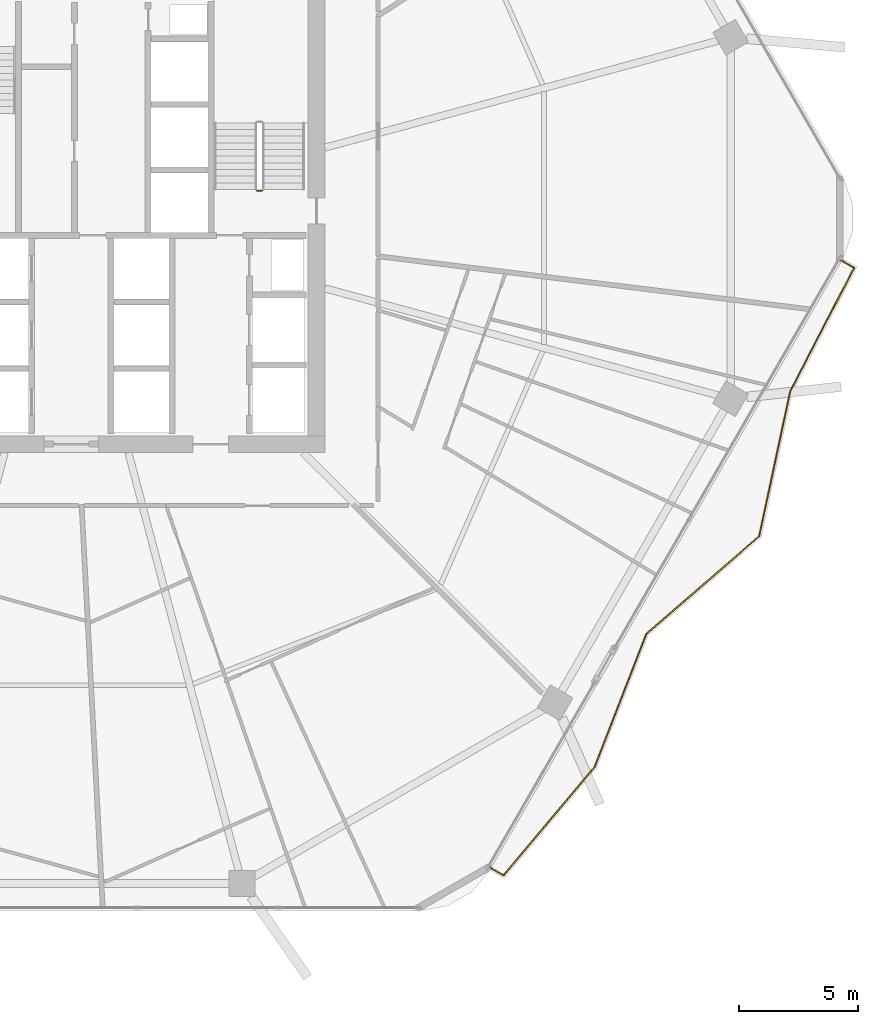
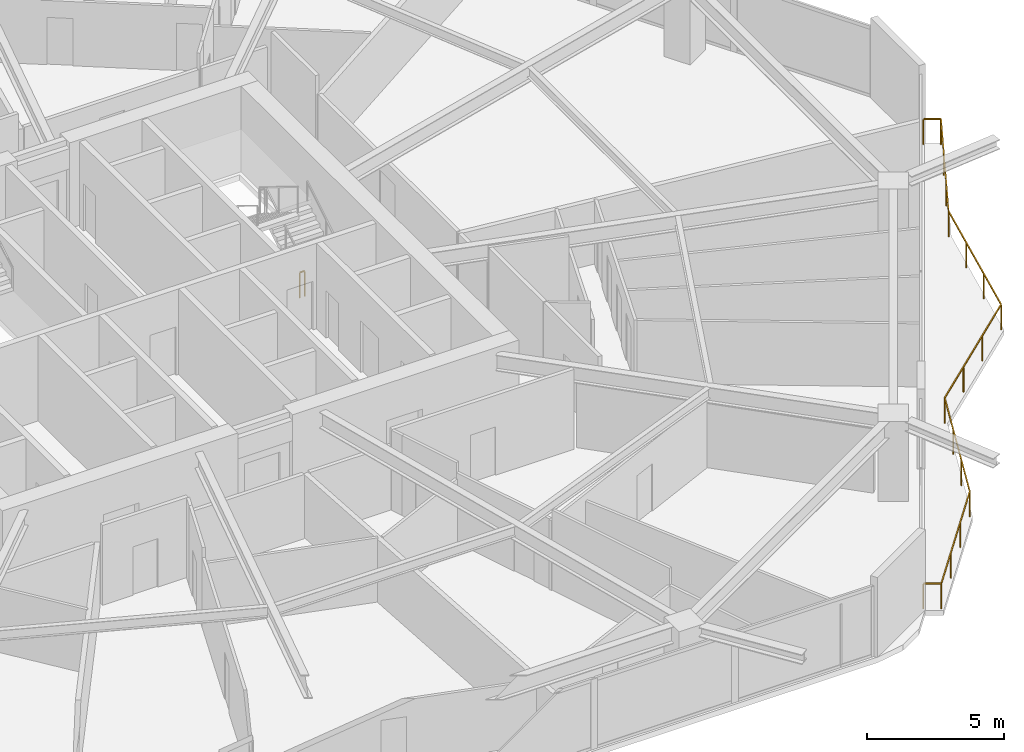
# One storey, part 30 of 32: 2 railings.
"""IFC4 building model written with IfcOpenShell, lengths in metres."""

from ifc_helpers import new_model, si_unit, direction, frame, origin, origin_2d, place, context, subcontext, project, spatial, rectangle, extrude, material, type_object, element, save


model = new_model("IFC4")

# Units and contexts
model_context = context("Model", 3, precision=1e-05, world=origin(), true_north=direction((0.0, 1.0)))
body_context = subcontext(model_context, "Body", "Model", "MODEL_VIEW")
ifc_project = project(units=[si_unit("LENGTHUNIT", "METRE"), si_unit("AREAUNIT", "SQUARE_METRE"), si_unit("VOLUMEUNIT", "CUBIC_METRE"), si_unit("PLANEANGLEUNIT", "RADIAN"), si_unit("MASSUNIT", "GRAM", prefix="KILO")], contexts=[model_context])

# Site, building, storey
site_placement = place(None, origin())
site = spatial("IfcSite", under=ifc_project, at=site_placement, CompositionType="ELEMENT")
building_placement = place(site_placement, origin())
building = spatial("IfcBuilding", under=site, at=building_placement, Name="Zuhravey Tower", CompositionType="ELEMENT")
storey_placement = place(building_placement, frame((0.0, 0.0, 119.0)))
storey = spatial("IfcBuildingStorey", under=building, at=storey_placement, Name="L29", CompositionType="ELEMENT", Elevation=119.0)

# Railings
ifc_material_1 = material(Name="Stainless steel 316 and laminated glass", Category="steel")
railing_type_1 = type_object("IfcRailingType", Name="Balcony & Terrace Guardrail 1150", PredefinedType="BALUSTRADE", material=ifc_material_1)
railing_1_placement = place(storey_placement, frame((68.5166015625, 30.2333984375, 0.0)))
element("IfcRailing", 1, at=railing_1_placement, inside=storey, type_object=railing_type_1, Name="L29 Face 6 Wave Balcony Guardrail GR1", PredefinedType="BALUSTRADE", context=body_context, shape_type="SweptSolid", body=[
    extrude(rectangle(XDim=0.048095703125, YDim=0.048095703125, at=origin_2d()), frame((0.001708984375, -0.0009765625, 1.1259765625), z_axis=(0.865996321171, -0.50005036918, 0.0), x_axis=(0.50005036918, 0.865996321171, 0.0)), (0.0, 0.0, 1.0), 0.640380859375),
    extrude(rectangle(XDim=0.048095703125, YDim=0.048095703125, at=origin_2d()), frame((0.55712890625, -0.323974609375, 1.1259765625), z_axis=(-0.458567516695, -0.88865957072, 0.0), x_axis=(0.88865957072, -0.458567516695, 0.0)), (0.0, 0.0, 1.0), 5.851806640625),
    extrude(rectangle(XDim=0.048095703125, YDim=0.048095703125, at=origin_2d()), frame((-2.127685546875, -5.528076171875, 1.1259765625), z_axis=(-0.209593491884, -0.977788611183, 0.0), x_axis=(0.977788611183, -0.209593491884, 0.0)), (0.0, 0.0, 1.0), 6.209228515625),
    extrude(rectangle(XDim=0.048095703125, YDim=0.048095703125, at=origin_2d()), frame((-3.430908203125, -11.6025390625, 1.1259765625), z_axis=(-0.755889527661, -0.654699184338, 0.0), x_axis=(0.654699184338, -0.755889527661, 0.0)), (0.0, 0.0, 1.0), 6.26416015625),
    extrude(rectangle(XDim=0.048095703125, YDim=0.048095703125, at=origin_2d()), frame((-8.168212890625, -15.70703125, 1.1259765625), z_axis=(-0.362899129355, -0.93182842944, 0.0), x_axis=(0.93182842944, -0.362899129355, 0.0)), (0.0, 0.0, 1.0), 6.005126953125),
    extrude(rectangle(XDim=0.048095703125, YDim=0.048095703125, at=origin_2d()), frame((-10.349365234375, -21.305908203125, 1.1259765625), z_axis=(-0.64353902716, -0.76541330046, 0.0), x_axis=(0.76541330046, -0.64353902716, 0.0)), (0.0, 0.0, 1.0), 5.91943359375),
    extrude(rectangle(XDim=0.048095703125, YDim=0.048095703125, at=origin_2d()), frame((-14.161865234375, -25.83740234375, 1.1259765625), z_axis=(-0.866036909293, 0.499980071345, 0.0), x_axis=(-0.499980071345, -0.866036909293, 0.0)), (0.0, 0.0, 1.0), 0.65234375),
    extrude(rectangle(XDim=0.0419921875, YDim=0.0419921875, at=origin_2d()), origin(), (0.0, 0.0, 1.0), 1.099853515625),
    extrude(rectangle(XDim=0.0419921875, YDim=0.0419921875, at=origin_2d()), frame((0.55810546875, -0.322265625, 0.0)), (0.0, 0.0, 1.0), 1.099853515625),
    extrude(rectangle(XDim=0.0419921875, YDim=0.0419921875, at=origin_2d()), frame((-0.3369140625, -2.056884765625, 0.0)), (0.0, 0.0, 1.0), 1.099853515625),
    extrude(rectangle(XDim=0.0419921875, YDim=0.0419921875, at=origin_2d()), frame((-1.232177734375, -3.79150390625, 0.0)), (0.0, 0.0, 1.0), 1.099853515625),
    extrude(rectangle(XDim=0.0419921875, YDim=0.0419921875, at=origin_2d()), frame((-2.127197265625, -5.526123046875, 0.0)), (0.0, 0.0, 1.0), 1.099853515625),
    extrude(rectangle(XDim=0.0419921875, YDim=0.0419921875, at=origin_2d()), frame((-2.561279296875, -7.55126953125, 0.0)), (0.0, 0.0, 1.0), 1.099853515625),
    extrude(rectangle(XDim=0.0419921875, YDim=0.0419921875, at=origin_2d()), frame((-2.995361328125, -9.576171875, 0.0)), (0.0, 0.0, 1.0), 1.099853515625),
    extrude(rectangle(XDim=0.0419921875, YDim=0.0419921875, at=origin_2d()), frame((-3.429443359375, -11.601318359375, 0.0)), (0.0, 0.0, 1.0), 1.099853515625),
    extrude(rectangle(XDim=0.0419921875, YDim=0.0419921875, at=origin_2d()), frame((-5.0087890625, -12.96923828125, 0.0)), (0.0, 0.0, 1.0), 1.099853515625),
    extrude(rectangle(XDim=0.0419921875, YDim=0.0419921875, at=origin_2d()), frame((-6.588134765625, -14.337158203125, 0.0)), (0.0, 0.0, 1.0), 1.099853515625),
    extrude(rectangle(XDim=0.0419921875, YDim=0.0419921875, at=origin_2d()), frame((-8.16748046875, -15.705078125, 0.0)), (0.0, 0.0, 1.0), 1.099853515625),
    extrude(rectangle(XDim=0.0419921875, YDim=0.0419921875, at=origin_2d()), frame((-8.894287109375, -17.571533203125, 0.0)), (0.0, 0.0, 1.0), 1.099853515625),
    extrude(rectangle(XDim=0.0419921875, YDim=0.0419921875, at=origin_2d()), frame((-9.621337890625, -19.43798828125, 0.0)), (0.0, 0.0, 1.0), 1.099853515625),
    extrude(rectangle(XDim=0.0419921875, YDim=0.0419921875, at=origin_2d()), frame((-10.34814453125, -21.304443359375, 0.0)), (0.0, 0.0, 1.0), 1.099853515625),
    extrude(rectangle(XDim=0.0419921875, YDim=0.0419921875, at=origin_2d()), frame((-11.618896484375, -22.815673828125, 0.0)), (0.0, 0.0, 1.0), 1.099853515625),
    extrude(rectangle(XDim=0.0419921875, YDim=0.0419921875, at=origin_2d()), frame((-12.889404296875, -24.3271484375, 0.0)), (0.0, 0.0, 1.0), 1.099853515625),
    extrude(rectangle(XDim=0.0419921875, YDim=0.0419921875, at=origin_2d()), frame((-14.16015625, -25.83837890625, 0.0)), (0.0, 0.0, 1.0), 1.099853515625),
    extrude(rectangle(XDim=0.0419921875, YDim=0.0419921875, at=origin_2d()), frame((-14.728515625, -25.51025390625, 0.0)), (0.0, 0.0, 1.0), 1.099853515625),
])
ifc_material_2 = material(Name="Painted tubular steel", Category="steel")
railing_type_2 = type_object("IfcRailingType", Name="Stair Well Guardrail 1150", PredefinedType="GUARDRAIL", material=ifc_material_2)
railing_2_placement = place(storey_placement, frame((44.199951171875, 33.14990234375, 0.0)))
element("IfcRailing", 2, at=railing_2_placement, inside=storey, type_object=railing_type_2, Name="L29 ST2 stair guard 4", PredefinedType="GUARDRAIL", context=body_context, shape_type="SweptSolid", body=[
    extrude(rectangle(XDim=0.048095703125, YDim=0.048095703125, at=origin_2d()), frame((-0.001953125, 0.0, 1.1259765625), z_axis=(-1.0, 0.0, 0.0), x_axis=(0.0, -1.0, 0.0)), (0.0, 0.0, 1.0), 0.196044921875),
    extrude(rectangle(XDim=0.0419921875, YDim=0.0419921875, at=origin_2d()), origin(), (0.0, 0.0, 1.0), 1.099853515625),
    extrude(rectangle(XDim=0.0419921875, YDim=0.0419921875, at=origin_2d()), frame((-0.199951171875, 0.0, 0.0)), (0.0, 0.0, 1.0), 1.099853515625),
])

save(model, "model.ifc")
